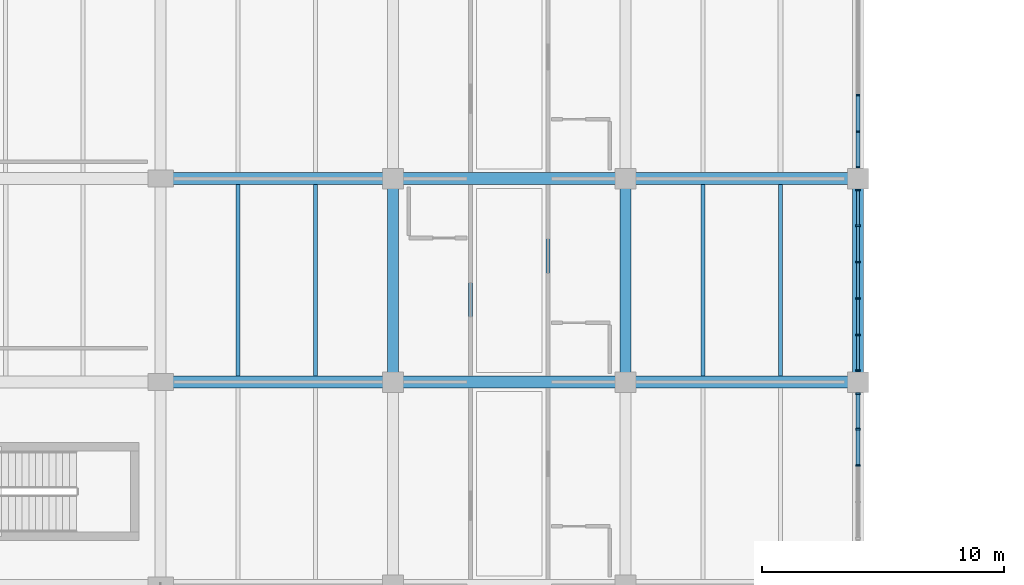
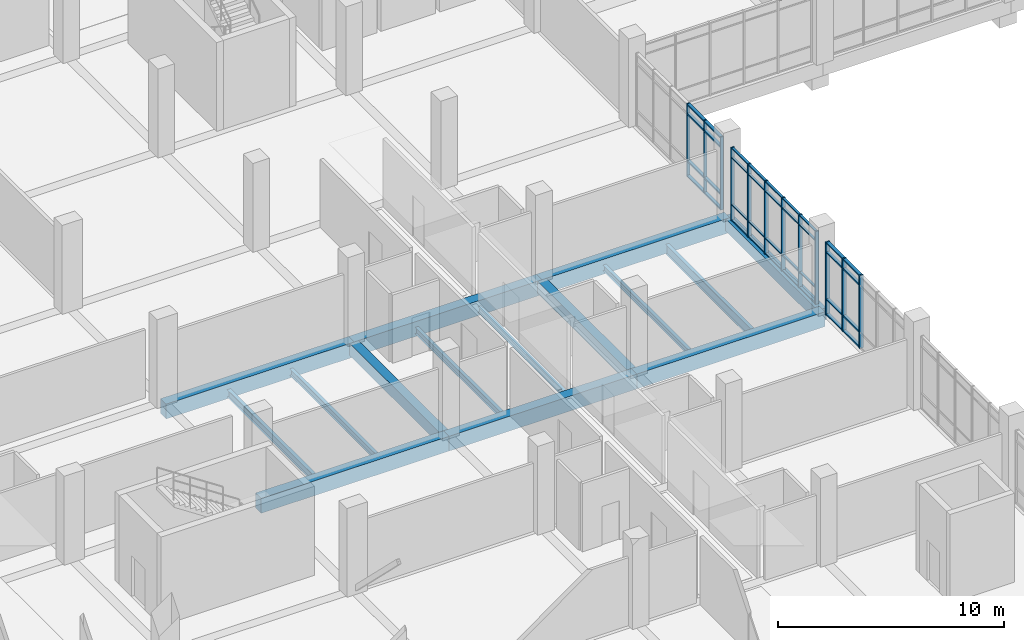
# One storey, part 27 of 152: 48 members, 15 beams, 3 elements without a shape of their own.
"""IFC4 building model written with IfcOpenShell, lengths in metres."""

from ifc_helpers import new_model, si_unit, direction, frame, origin, origin_2d, place, context, subcontext, project, spatial, rectangle, i_section, extrude, material, material_profile, profile_set, type_object, element, aggregate, save


model = new_model("IFC4")

# Units and contexts
model_context = context("Model", 3, precision=1e-05, world=origin(), true_north=direction((0.0, 1.0)))
body_context = subcontext(model_context, "Body", "Model", "MODEL_VIEW")
ifc_project = project(units=[si_unit("LENGTHUNIT", "METRE"), si_unit("AREAUNIT", "SQUARE_METRE"), si_unit("VOLUMEUNIT", "CUBIC_METRE"), si_unit("PLANEANGLEUNIT", "RADIAN"), si_unit("MASSUNIT", "GRAM", prefix="KILO")], contexts=[model_context])

# Site, building, storey
site_placement = place(None, origin())
site = spatial("IfcSite", under=ifc_project, at=site_placement, CompositionType="ELEMENT")
building_placement = place(site_placement, origin())
building = spatial("IfcBuilding", under=site, at=building_placement, Name="Oolite Switchyard Hospital", CompositionType="ELEMENT")
storey_placement = place(building_placement, frame((0.0, 0.0, 5.10009765625)))
storey = spatial("IfcBuildingStorey", under=building, at=storey_placement, Name="L01", CompositionType="ELEMENT", Elevation=5.10009765625)

# Beams
ifc_material_1 = material(Name="Concrete C40/50", Category="concrete")
ifc_material_profile_1 = material_profile(ifc_material_1, rectangle(XDim=0.449951171875, YDim=0.64990234375, at=origin_2d()), Name="RCB450X650")
ifc_profile_set_1 = profile_set([ifc_material_profile_1], Name="Concrete C40/50")
beam_type_1 = type_object("IfcBeamType", Name="BM-RC450X650", PredefinedType="BEAM", material=ifc_profile_set_1)
for number, where, z_axis, x_axis, name in (
    (1, (38.39990234375, 67.199951171875, -0.3251953125), (0.0, 1.0, 0.0), (-1.0, 0.0, 0.0), "L01 Y-Girder 358"),
    (2, (48.0, 67.199951171875, -0.3251953125), (0.0, 1.0, 0.0), (-1.0, 0.0, 0.0), "L01 Y-Girder 374"),
    (3, (57.60009765625, 67.199951171875, -0.3251953125), (0.0, 1.0, 0.0), (-1.0, 0.0, 0.0), "L01 Y-Girder 389"),
):
    element("IfcBeam", number, at=place(storey_placement, frame(where, z_axis=z_axis, x_axis=x_axis)), inside=storey, type_object=beam_type_1, Name=name, PredefinedType="BEAM", context=body_context, shape_type="SweptSolid", body=[
        extrude(rectangle(XDim=0.449951171875, YDim=0.64990234375, at=origin_2d()), origin(), (0.0, 0.0, 1.0), 8.400146484375),
    ])
ifc_material_profile_2 = material_profile(ifc_material_1, rectangle(XDim=0.5, YDim=0.800048828125, at=origin_2d()), Name="RCB500X800")
ifc_profile_set_2 = profile_set([ifc_material_profile_2], Name="Concrete C40/50")
beam_type_2 = type_object("IfcBeamType", Name="BM-RC500X800", PredefinedType="BEAM", material=ifc_profile_set_2)
beam_1_placement = place(storey_placement, frame((28.800048828125, 67.199951171875, -0.400146484375), z_axis=(1.0, 0.0, 0.0), x_axis=(0.0, 1.0, 0.0)))
element("IfcBeam", 4, at=beam_1_placement, inside=storey, type_object=beam_type_2, Name="L01 X-Girder 131", PredefinedType="BEAM", context=body_context, shape_type="SweptSolid", body=[
    extrude(rectangle(XDim=0.5, YDim=0.800048828125, at=origin_2d()), origin(), (0.0, 0.0, 1.0), 9.599853515625),
])
for number, where, z_axis, x_axis, name in (
    (5, (38.39990234375, 67.199951171875, -0.400146484375), (1.0, 0.0, 0.0), (0.0, 1.0, 0.0), "L01 X-Girder 132"),
    (6, (48.0, 67.199951171875, -0.400146484375), (1.0, 0.0, 0.0), (0.0, 1.0, 0.0), "L01 X-Girder 133"),
):
    element("IfcBeam", number, at=place(storey_placement, frame(where, z_axis=z_axis, x_axis=x_axis)), inside=storey, type_object=beam_type_2, Name=name, PredefinedType="BEAM", context=body_context, shape_type="SweptSolid", body=[
        extrude(rectangle(XDim=0.5, YDim=0.800048828125, at=origin_2d()), origin(), (0.0, 0.0, 1.0), 9.60009765625),
    ])
beam_2_placement = place(storey_placement, frame((28.800048828125, 75.60009765625, -0.400146484375), z_axis=(1.0, 0.0, 0.0), x_axis=(0.0, 1.0, 0.0)))
element("IfcBeam", 7, at=beam_2_placement, inside=storey, type_object=beam_type_2, Name="L01 X-Girder 147", PredefinedType="BEAM", context=body_context, shape_type="SweptSolid", body=[
    extrude(rectangle(XDim=0.5, YDim=0.800048828125, at=origin_2d()), origin(), (0.0, 0.0, 1.0), 9.599853515625),
])
for number, where, z_axis, x_axis, name in (
    (8, (38.39990234375, 75.60009765625, -0.400146484375), (1.0, 0.0, 0.0), (0.0, 1.0, 0.0), "L01 X-Girder 148"),
    (9, (48.0, 75.60009765625, -0.400146484375), (1.0, 0.0, 0.0), (0.0, 1.0, 0.0), "L01 X-Girder 149"),
):
    element("IfcBeam", number, at=place(storey_placement, frame(where, z_axis=z_axis, x_axis=x_axis)), inside=storey, type_object=beam_type_2, Name=name, PredefinedType="BEAM", context=body_context, shape_type="SweptSolid", body=[
        extrude(rectangle(XDim=0.5, YDim=0.800048828125, at=origin_2d()), origin(), (0.0, 0.0, 1.0), 9.60009765625),
    ])
ifc_material_2 = material(Name="Steel ASTM A992 Grade 50", Category="steel")
ifc_material_profile_3 = material_profile(ifc_material_2, i_section(OverallWidth=0.1650390625, OverallDepth=0.31005859375, WebThickness=0.006103515625, FlangeThickness=0.010009765625, at=origin_2d()), Name="W12X26")
ifc_profile_set_3 = profile_set([ifc_material_profile_3], Name="Steel ASTM A992 Grade 50")
beam_type_3 = type_object("IfcBeamType", Name="BM-W12X26", PredefinedType="JOIST", material=ifc_profile_set_3)
for number, where, z_axis, x_axis, name in (
    (10, (44.800048828125, 67.449951171875, -0.455078125), (0.0, 1.0, 0.0), (-1.0, 0.0, 0.0), "L01 Secondary Steel Joist 697"),
    (11, (51.199951171875, 67.449951171875, -0.455078125), (0.0, 1.0, 0.0), (-1.0, 0.0, 0.0), "L01 Secondary Steel Joist 724"),
):
    element("IfcBeam", number, at=place(storey_placement, frame(where, z_axis=z_axis, x_axis=x_axis)), inside=storey, type_object=beam_type_3, Name=name, PredefinedType="JOIST", context=body_context, shape_type="SweptSolid", body=[
        extrude(i_section(OverallWidth=0.1650390625, OverallDepth=0.31005859375, WebThickness=0.006103515625, FlangeThickness=0.010009765625, at=origin_2d()), origin(), (0.0, 0.0, 1.0), 7.900146484375),
    ])
ifc_material_profile_4 = material_profile(ifc_material_2, i_section(OverallWidth=0.1708984375, OverallDepth=0.35107421875, WebThickness=0.007080078125, FlangeThickness=0.010009765625, at=origin_2d()), Name="W14X30")
ifc_profile_set_4 = profile_set([ifc_material_profile_4], Name="Steel ASTM A992 Grade 50")
beam_type_4 = type_object("IfcBeamType", Name="BM-W14X30", PredefinedType="JOIST", material=ifc_profile_set_4)
for number, where, z_axis, x_axis, name in (
    (12, (35.199951171875, 67.449951171875, -0.47607421875), (0.0, 1.0, 0.0), (-1.0, 0.0, 0.0), "L01 Secondary Steel Joist 667"),
    (13, (41.60009765625, 67.449951171875, -0.47607421875), (0.0, 1.0, 0.0), (-1.0, 0.0, 0.0), "L01 Secondary Steel Joist 696"),
):
    element("IfcBeam", number, at=place(storey_placement, frame(where, z_axis=z_axis, x_axis=x_axis)), inside=storey, type_object=beam_type_4, Name=name, PredefinedType="JOIST", context=body_context, shape_type="SweptSolid", body=[
        extrude(i_section(OverallWidth=0.1708984375, OverallDepth=0.35107421875, WebThickness=0.007080078125, FlangeThickness=0.010009765625, at=origin_2d()), origin(), (0.0, 0.0, 1.0), 7.900146484375),
    ])
ifc_material_profile_5 = material_profile(ifc_material_2, i_section(OverallWidth=0.177978515625, OverallDepth=0.403076171875, WebThickness=0.008056640625, FlangeThickness=0.010986328125, at=origin_2d()), Name="W16X36")
ifc_profile_set_5 = profile_set([ifc_material_profile_5], Name="Steel ASTM A992 Grade 50")
beam_type_5 = type_object("IfcBeamType", Name="BM-W16X36", PredefinedType="JOIST", material=ifc_profile_set_5)
beam_3_placement = place(storey_placement, frame((32.0, 67.449951171875, -0.502197265625), z_axis=(0.0, 1.0, 0.0), x_axis=(-1.0, 0.0, 0.0)))
element("IfcBeam", 14, at=beam_3_placement, inside=storey, type_object=beam_type_5, Name="L01 Secondary Steel Joist 666", PredefinedType="JOIST", context=body_context, shape_type="SweptSolid", body=[
    extrude(i_section(OverallWidth=0.177978515625, OverallDepth=0.403076171875, WebThickness=0.008056640625, FlangeThickness=0.010986328125, at=origin_2d()), origin(), (0.0, 0.0, 1.0), 7.900146484375),
])
ifc_material_profile_6 = material_profile(ifc_material_2, i_section(OverallWidth=0.166015625, OverallDepth=0.529052734375, WebThickness=0.010009765625, FlangeThickness=0.013916015625, at=origin_2d()), Name="W21X50")
ifc_profile_set_6 = profile_set([ifc_material_profile_6], Name="Steel ASTM A992 Grade 50")
beam_type_6 = type_object("IfcBeamType", Name="BM-W21X50", PredefinedType="JOIST", material=ifc_profile_set_6)
beam_4_placement = place(storey_placement, frame((54.39990234375, 67.449951171875, -0.564208984375), z_axis=(0.0, 1.0, 0.0), x_axis=(-1.0, 0.0, 0.0)))
element("IfcBeam", 15, at=beam_4_placement, inside=storey, type_object=beam_type_6, Name="L01 Secondary Steel Joist 725", PredefinedType="JOIST", context=body_context, shape_type="SweptSolid", body=[
    extrude(i_section(OverallWidth=0.166015625, OverallDepth=0.529052734375, WebThickness=0.010009765625, FlangeThickness=0.013916015625, at=origin_2d()), origin(), (0.0, 0.0, 1.0), 7.900146484375),
])

# Curtain wall, members
ifc_material_3 = material(Name="Thermally broken aluminum frame with laminated impact glazing", Category="aluminium")
curtain_wall_type = type_object("IfcCurtainWallType", Name="CW-UNIT-84X48", PredefinedType="USERDEFINED", material=ifc_material_3)
curtain_wall_1_placement = place(storey_placement, origin())
curtain_wall_1 = element("IfcCurtainWall", 16, at=curtain_wall_1_placement, inside=storey, type_object=curtain_wall_type, Name="L01 Unitised Curtain Wall 173", ObjectType="UNITISED", PredefinedType="USERDEFINED")
ifc_material_4 = material(Name="Aluminium 6063-T6", Category="aluminium")
ifc_material_profile_7 = material_profile(ifc_material_4, rectangle(XDim=0.159912109375, YDim=0.06005859375, at=origin_2d()), Name="CWM60X160")
ifc_profile_set_7 = profile_set([ifc_material_profile_7], Name="Aluminium 6063-T6")
member_type_1 = type_object("IfcMemberType", Name="CW-MUL-180", PredefinedType="MULLION", material=ifc_profile_set_7)
member_1_placement = place(storey_placement, frame((57.60009765625, 79.048095703125, 0.0), z_axis=(0.0, 0.0, 1.0), x_axis=(1.0, 0.0, 0.0)))
member_1 = element("IfcMember", 17, at=member_1_placement, type_object=member_type_1, Name="CW-07 mullion 4", PredefinedType="MULLION", context=body_context, shape_type="SweptSolid", body=[
    extrude(rectangle(XDim=0.159912109375, YDim=0.06005859375, at=origin_2d()), origin(), (0.0, 0.0, 1.0), 3.93994140625),
])
member_2_placement = place(storey_placement, frame((57.60009765625, 77.5439453125, 0.0), z_axis=(0.0, 0.0, 1.0), x_axis=(1.0, 0.0, 0.0)))
member_2 = element("IfcMember", 18, at=member_2_placement, type_object=member_type_1, Name="CW-07 mullion 5", PredefinedType="MULLION", context=body_context, shape_type="SweptSolid", body=[
    extrude(rectangle(XDim=0.159912109375, YDim=0.06005859375, at=origin_2d()), origin(), (0.0, 0.0, 1.0), 3.93994140625),
])
member_3_placement = place(storey_placement, frame((57.60009765625, 76.070068359375, 0.0), z_axis=(0.0, 0.0, 1.0), x_axis=(1.0, 0.0, 0.0)))
member_3 = element("IfcMember", 19, at=member_3_placement, type_object=member_type_1, Name="CW-07 mullion 6", PredefinedType="MULLION", context=body_context, shape_type="SweptSolid", body=[
    extrude(rectangle(XDim=0.159912109375, YDim=0.06005859375, at=origin_2d()), origin(), (0.0, 0.0, 1.0), 3.93994140625),
])

curtain_wall_2_placement = place(storey_placement, origin())
curtain_wall_2 = element("IfcCurtainWall", 20, at=curtain_wall_2_placement, inside=storey, type_object=curtain_wall_type, Name="L01 Unitised Curtain Wall 174", ObjectType="UNITISED", PredefinedType="USERDEFINED")
ifc_material_profile_8 = material_profile(ifc_material_4, rectangle(XDim=0.179931640625, YDim=0.070068359375, at=origin_2d()), Name="CWM70X180")
ifc_profile_set_8 = profile_set([ifc_material_profile_8], Name="Aluminium 6063-T6")
member_type_2 = type_object("IfcMemberType", Name="CW-MUL-220", PredefinedType="MULLION", material=ifc_profile_set_8)
member_4_placement = place(storey_placement, frame((57.60009765625, 75.125, 0.0), z_axis=(0.0, 0.0, 1.0), x_axis=(1.0, 0.0, 0.0)))
member_4 = element("IfcMember", 21, at=member_4_placement, type_object=member_type_2, Name="CW-07 mullion 1", PredefinedType="MULLION", context=body_context, shape_type="SweptSolid", body=[
    extrude(rectangle(XDim=0.179931640625, YDim=0.070068359375, at=origin_2d()), origin(), (0.0, 0.0, 1.0), 3.93994140625),
])
member_5_placement = place(storey_placement, frame((57.60009765625, 73.656005859375, 0.0), z_axis=(0.0, 0.0, 1.0), x_axis=(1.0, 0.0, 0.0)))
member_5 = element("IfcMember", 22, at=member_5_placement, type_object=member_type_2, Name="CW-07 mullion 2", PredefinedType="MULLION", context=body_context, shape_type="SweptSolid", body=[
    extrude(rectangle(XDim=0.179931640625, YDim=0.070068359375, at=origin_2d()), origin(), (0.0, 0.0, 1.0), 3.93994140625),
])
member_6_placement = place(storey_placement, frame((57.60009765625, 72.152099609375, 0.0), z_axis=(0.0, 0.0, 1.0), x_axis=(1.0, 0.0, 0.0)))
member_6 = element("IfcMember", 23, at=member_6_placement, type_object=member_type_2, Name="CW-07 mullion 3", PredefinedType="MULLION", context=body_context, shape_type="SweptSolid", body=[
    extrude(rectangle(XDim=0.179931640625, YDim=0.070068359375, at=origin_2d()), origin(), (0.0, 0.0, 1.0), 3.93994140625),
])
member_7_placement = place(storey_placement, frame((57.60009765625, 70.64794921875, 0.0), z_axis=(0.0, 0.0, 1.0), x_axis=(1.0, 0.0, 0.0)))
member_7 = element("IfcMember", 24, at=member_7_placement, type_object=member_type_2, Name="CW-07 mullion 4", PredefinedType="MULLION", context=body_context, shape_type="SweptSolid", body=[
    extrude(rectangle(XDim=0.179931640625, YDim=0.070068359375, at=origin_2d()), origin(), (0.0, 0.0, 1.0), 3.93994140625),
])
member_8_placement = place(storey_placement, frame((57.60009765625, 69.14404296875, 0.0), z_axis=(0.0, 0.0, 1.0), x_axis=(1.0, 0.0, 0.0)))
member_8 = element("IfcMember", 25, at=member_8_placement, type_object=member_type_2, Name="CW-07 mullion 5", PredefinedType="MULLION", context=body_context, shape_type="SweptSolid", body=[
    extrude(rectangle(XDim=0.179931640625, YDim=0.070068359375, at=origin_2d()), origin(), (0.0, 0.0, 1.0), 3.93994140625),
])
member_9_placement = place(storey_placement, frame((57.60009765625, 67.675048828125, 0.0), z_axis=(0.0, 0.0, 1.0), x_axis=(1.0, 0.0, 0.0)))
member_9 = element("IfcMember", 26, at=member_9_placement, type_object=member_type_2, Name="CW-07 mullion 6", PredefinedType="MULLION", context=body_context, shape_type="SweptSolid", body=[
    extrude(rectangle(XDim=0.179931640625, YDim=0.070068359375, at=origin_2d()), origin(), (0.0, 0.0, 1.0), 3.93994140625),
])

curtain_wall_3_placement = place(storey_placement, origin())
curtain_wall_3 = element("IfcCurtainWall", 27, at=curtain_wall_3_placement, inside=storey, type_object=curtain_wall_type, Name="L01 Unitised Curtain Wall 169", ObjectType="UNITISED", PredefinedType="USERDEFINED")
ifc_material_profile_9 = material_profile(ifc_material_4, rectangle(XDim=0.199951171875, YDim=0.074951171875, at=origin_2d()), Name="CWM75X200")
ifc_profile_set_9 = profile_set([ifc_material_profile_9], Name="Aluminium 6063-T6")
member_type_3 = type_object("IfcMemberType", Name="CW-MUL-260", PredefinedType="MULLION", material=ifc_profile_set_9)
member_10_placement = place(storey_placement, frame((57.60009765625, 66.722412109375, 0.0), z_axis=(0.0, 0.0, 1.0), x_axis=(1.0, 0.0, 0.0)))
member_10 = element("IfcMember", 28, at=member_10_placement, type_object=member_type_3, Name="CW-07 mullion 1", PredefinedType="MULLION", context=body_context, shape_type="SweptSolid", body=[
    extrude(rectangle(XDim=0.199951171875, YDim=0.074951171875, at=origin_2d()), origin(), (0.0, 0.0, 1.0), 3.93994140625),
])
member_11_placement = place(storey_placement, frame((57.60009765625, 65.256103515625, 0.0), z_axis=(0.0, 0.0, 1.0), x_axis=(1.0, 0.0, 0.0)))
member_11 = element("IfcMember", 29, at=member_11_placement, type_object=member_type_3, Name="CW-07 mullion 2", PredefinedType="MULLION", context=body_context, shape_type="SweptSolid", body=[
    extrude(rectangle(XDim=0.199951171875, YDim=0.074951171875, at=origin_2d()), origin(), (0.0, 0.0, 1.0), 3.93994140625),
])
member_12_placement = place(storey_placement, frame((57.60009765625, 63.751953125, 0.0), z_axis=(0.0, 0.0, 1.0), x_axis=(1.0, 0.0, 0.0)))
member_12 = element("IfcMember", 30, at=member_12_placement, type_object=member_type_3, Name="CW-07 mullion 3", PredefinedType="MULLION", context=body_context, shape_type="SweptSolid", body=[
    extrude(rectangle(XDim=0.199951171875, YDim=0.074951171875, at=origin_2d()), origin(), (0.0, 0.0, 1.0), 3.93994140625),
])

# Member
ifc_material_profile_10 = material_profile(ifc_material_4, rectangle(XDim=0.1201171875, YDim=0.06005859375, at=origin_2d()), Name="CWT60X120")
ifc_profile_set_10 = profile_set([ifc_material_profile_10], Name="Aluminium 6063-T6")
member_type_4 = type_object("IfcMemberType", Name="CW-TRN-150", PredefinedType="USERDEFINED", material=ifc_profile_set_10)
member_13_placement = place(storey_placement, frame((57.60009765625, 75.090087890625, 0.02978515625), z_axis=(0.0, -1.0, 0.0), x_axis=(1.0, 0.0, 0.0)))
member_13 = element("IfcMember", 31, at=member_13_placement, type_object=member_type_4, Name="CW-07 transom 1.1", ObjectType="TRANSOM", PredefinedType="USERDEFINED", context=body_context, shape_type="SweptSolid", body=[
    extrude(rectangle(XDim=0.1201171875, YDim=0.06005859375, at=origin_2d()), origin(), (0.0, 0.0, 1.0), 1.399169921875),
])

member_14_placement = place(storey_placement, frame((57.60009765625, 75.090087890625, 0.849853515625), z_axis=(0.0, -1.0, 0.0), x_axis=(1.0, 0.0, 0.0)))
member_14 = element("IfcMember", 32, at=member_14_placement, type_object=member_type_4, Name="CW-07 transom 1.2", ObjectType="TRANSOM", PredefinedType="USERDEFINED", context=body_context, shape_type="SweptSolid", body=[
    extrude(rectangle(XDim=0.1201171875, YDim=0.06005859375, at=origin_2d()), origin(), (0.0, 0.0, 1.0), 1.399169921875),
])

member_15_placement = place(storey_placement, frame((57.60009765625, 75.090087890625, 3.389892578125), z_axis=(0.0, -1.0, 0.0), x_axis=(1.0, 0.0, 0.0)))
member_15 = element("IfcMember", 33, at=member_15_placement, type_object=member_type_4, Name="CW-07 transom 1.3", ObjectType="TRANSOM", PredefinedType="USERDEFINED", context=body_context, shape_type="SweptSolid", body=[
    extrude(rectangle(XDim=0.1201171875, YDim=0.06005859375, at=origin_2d()), origin(), (0.0, 0.0, 1.0), 1.399169921875),
])

member_16_placement = place(storey_placement, frame((57.60009765625, 75.090087890625, 3.909912109375), z_axis=(0.0, -1.0, 0.0), x_axis=(1.0, 0.0, 0.0)))
member_16 = element("IfcMember", 34, at=member_16_placement, type_object=member_type_4, Name="CW-07 transom 1.4", ObjectType="TRANSOM", PredefinedType="USERDEFINED", context=body_context, shape_type="SweptSolid", body=[
    extrude(rectangle(XDim=0.1201171875, YDim=0.06005859375, at=origin_2d()), origin(), (0.0, 0.0, 1.0), 1.399169921875),
])

member_17_placement = place(storey_placement, frame((57.60009765625, 73.62109375, 0.02978515625), z_axis=(0.0, -1.0, 0.0), x_axis=(1.0, 0.0, 0.0)))
member_17 = element("IfcMember", 35, at=member_17_placement, type_object=member_type_4, Name="CW-07 transom 2.1", ObjectType="TRANSOM", PredefinedType="USERDEFINED", context=body_context, shape_type="SweptSolid", body=[
    extrude(rectangle(XDim=0.1201171875, YDim=0.06005859375, at=origin_2d()), origin(), (0.0, 0.0, 1.0), 1.43408203125),
])

member_18_placement = place(storey_placement, frame((57.60009765625, 73.62109375, 0.849853515625), z_axis=(0.0, -1.0, 0.0), x_axis=(1.0, 0.0, 0.0)))
member_18 = element("IfcMember", 36, at=member_18_placement, type_object=member_type_4, Name="CW-07 transom 2.2", ObjectType="TRANSOM", PredefinedType="USERDEFINED", context=body_context, shape_type="SweptSolid", body=[
    extrude(rectangle(XDim=0.1201171875, YDim=0.06005859375, at=origin_2d()), origin(), (0.0, 0.0, 1.0), 1.43408203125),
])

member_19_placement = place(storey_placement, frame((57.60009765625, 73.62109375, 3.389892578125), z_axis=(0.0, -1.0, 0.0), x_axis=(1.0, 0.0, 0.0)))
member_19 = element("IfcMember", 37, at=member_19_placement, type_object=member_type_4, Name="CW-07 transom 2.3", ObjectType="TRANSOM", PredefinedType="USERDEFINED", context=body_context, shape_type="SweptSolid", body=[
    extrude(rectangle(XDim=0.1201171875, YDim=0.06005859375, at=origin_2d()), origin(), (0.0, 0.0, 1.0), 1.43408203125),
])

member_20_placement = place(storey_placement, frame((57.60009765625, 73.62109375, 3.909912109375), z_axis=(0.0, -1.0, 0.0), x_axis=(1.0, 0.0, 0.0)))
member_20 = element("IfcMember", 38, at=member_20_placement, type_object=member_type_4, Name="CW-07 transom 2.4", ObjectType="TRANSOM", PredefinedType="USERDEFINED", context=body_context, shape_type="SweptSolid", body=[
    extrude(rectangle(XDim=0.1201171875, YDim=0.06005859375, at=origin_2d()), origin(), (0.0, 0.0, 1.0), 1.43408203125),
])

member_21_placement = place(storey_placement, frame((57.60009765625, 72.116943359375, 0.02978515625), z_axis=(0.0, -1.0, 0.0), x_axis=(1.0, 0.0, 0.0)))
member_21 = element("IfcMember", 39, at=member_21_placement, type_object=member_type_4, Name="CW-07 transom 3.1", ObjectType="TRANSOM", PredefinedType="USERDEFINED", context=body_context, shape_type="SweptSolid", body=[
    extrude(rectangle(XDim=0.1201171875, YDim=0.06005859375, at=origin_2d()), origin(), (0.0, 0.0, 1.0), 1.433837890625),
])

member_22_placement = place(storey_placement, frame((57.60009765625, 72.116943359375, 0.849853515625), z_axis=(0.0, -1.0, 0.0), x_axis=(1.0, 0.0, 0.0)))
member_22 = element("IfcMember", 40, at=member_22_placement, type_object=member_type_4, Name="CW-07 transom 3.2", ObjectType="TRANSOM", PredefinedType="USERDEFINED", context=body_context, shape_type="SweptSolid", body=[
    extrude(rectangle(XDim=0.1201171875, YDim=0.06005859375, at=origin_2d()), origin(), (0.0, 0.0, 1.0), 1.433837890625),
])

member_23_placement = place(storey_placement, frame((57.60009765625, 72.116943359375, 3.389892578125), z_axis=(0.0, -1.0, 0.0), x_axis=(1.0, 0.0, 0.0)))
member_23 = element("IfcMember", 41, at=member_23_placement, type_object=member_type_4, Name="CW-07 transom 3.3", ObjectType="TRANSOM", PredefinedType="USERDEFINED", context=body_context, shape_type="SweptSolid", body=[
    extrude(rectangle(XDim=0.1201171875, YDim=0.06005859375, at=origin_2d()), origin(), (0.0, 0.0, 1.0), 1.433837890625),
])

member_24_placement = place(storey_placement, frame((57.60009765625, 72.116943359375, 3.909912109375), z_axis=(0.0, -1.0, 0.0), x_axis=(1.0, 0.0, 0.0)))
member_24 = element("IfcMember", 42, at=member_24_placement, type_object=member_type_4, Name="CW-07 transom 3.4", ObjectType="TRANSOM", PredefinedType="USERDEFINED", context=body_context, shape_type="SweptSolid", body=[
    extrude(rectangle(XDim=0.1201171875, YDim=0.06005859375, at=origin_2d()), origin(), (0.0, 0.0, 1.0), 1.433837890625),
])

member_25_placement = place(storey_placement, frame((57.60009765625, 70.613037109375, 0.02978515625), z_axis=(0.0, -1.0, 0.0), x_axis=(1.0, 0.0, 0.0)))
member_25 = element("IfcMember", 43, at=member_25_placement, type_object=member_type_4, Name="CW-07 transom 4.1", ObjectType="TRANSOM", PredefinedType="USERDEFINED", context=body_context, shape_type="SweptSolid", body=[
    extrude(rectangle(XDim=0.1201171875, YDim=0.06005859375, at=origin_2d()), origin(), (0.0, 0.0, 1.0), 1.43408203125),
])

member_26_placement = place(storey_placement, frame((57.60009765625, 70.613037109375, 0.849853515625), z_axis=(0.0, -1.0, 0.0), x_axis=(1.0, 0.0, 0.0)))
member_26 = element("IfcMember", 44, at=member_26_placement, type_object=member_type_4, Name="CW-07 transom 4.2", ObjectType="TRANSOM", PredefinedType="USERDEFINED", context=body_context, shape_type="SweptSolid", body=[
    extrude(rectangle(XDim=0.1201171875, YDim=0.06005859375, at=origin_2d()), origin(), (0.0, 0.0, 1.0), 1.43408203125),
])

member_27_placement = place(storey_placement, frame((57.60009765625, 70.613037109375, 3.389892578125), z_axis=(0.0, -1.0, 0.0), x_axis=(1.0, 0.0, 0.0)))
member_27 = element("IfcMember", 45, at=member_27_placement, type_object=member_type_4, Name="CW-07 transom 4.3", ObjectType="TRANSOM", PredefinedType="USERDEFINED", context=body_context, shape_type="SweptSolid", body=[
    extrude(rectangle(XDim=0.1201171875, YDim=0.06005859375, at=origin_2d()), origin(), (0.0, 0.0, 1.0), 1.43408203125),
])

member_28_placement = place(storey_placement, frame((57.60009765625, 70.613037109375, 3.909912109375), z_axis=(0.0, -1.0, 0.0), x_axis=(1.0, 0.0, 0.0)))
member_28 = element("IfcMember", 46, at=member_28_placement, type_object=member_type_4, Name="CW-07 transom 4.4", ObjectType="TRANSOM", PredefinedType="USERDEFINED", context=body_context, shape_type="SweptSolid", body=[
    extrude(rectangle(XDim=0.1201171875, YDim=0.06005859375, at=origin_2d()), origin(), (0.0, 0.0, 1.0), 1.43408203125),
])

member_29_placement = place(storey_placement, frame((57.60009765625, 69.10888671875, 0.02978515625), z_axis=(0.0, -1.0, 0.0), x_axis=(1.0, 0.0, 0.0)))
member_29 = element("IfcMember", 47, at=member_29_placement, type_object=member_type_4, Name="CW-07 transom 5.1", ObjectType="TRANSOM", PredefinedType="USERDEFINED", context=body_context, shape_type="SweptSolid", body=[
    extrude(rectangle(XDim=0.1201171875, YDim=0.06005859375, at=origin_2d()), origin(), (0.0, 0.0, 1.0), 1.39892578125),
])

member_30_placement = place(storey_placement, frame((57.60009765625, 69.10888671875, 0.849853515625), z_axis=(0.0, -1.0, 0.0), x_axis=(1.0, 0.0, 0.0)))
member_30 = element("IfcMember", 48, at=member_30_placement, type_object=member_type_4, Name="CW-07 transom 5.2", ObjectType="TRANSOM", PredefinedType="USERDEFINED", context=body_context, shape_type="SweptSolid", body=[
    extrude(rectangle(XDim=0.1201171875, YDim=0.06005859375, at=origin_2d()), origin(), (0.0, 0.0, 1.0), 1.39892578125),
])

member_31_placement = place(storey_placement, frame((57.60009765625, 69.10888671875, 3.389892578125), z_axis=(0.0, -1.0, 0.0), x_axis=(1.0, 0.0, 0.0)))
member_31 = element("IfcMember", 49, at=member_31_placement, type_object=member_type_4, Name="CW-07 transom 5.3", ObjectType="TRANSOM", PredefinedType="USERDEFINED", context=body_context, shape_type="SweptSolid", body=[
    extrude(rectangle(XDim=0.1201171875, YDim=0.06005859375, at=origin_2d()), origin(), (0.0, 0.0, 1.0), 1.39892578125),
])

member_32_placement = place(storey_placement, frame((57.60009765625, 69.10888671875, 3.909912109375), z_axis=(0.0, -1.0, 0.0), x_axis=(1.0, 0.0, 0.0)))
member_32 = element("IfcMember", 50, at=member_32_placement, type_object=member_type_4, Name="CW-07 transom 5.4", ObjectType="TRANSOM", PredefinedType="USERDEFINED", context=body_context, shape_type="SweptSolid", body=[
    extrude(rectangle(XDim=0.1201171875, YDim=0.06005859375, at=origin_2d()), origin(), (0.0, 0.0, 1.0), 1.39892578125),
])

aggregate(curtain_wall_2, [member_4, member_5, member_6, member_7, member_8, member_9, member_13, member_14, member_15, member_16, member_17, member_18, member_19, member_20, member_21, member_22, member_23, member_24, member_25, member_26, member_27, member_28, member_29, member_30, member_31, member_32])

ifc_material_profile_11 = material_profile(ifc_material_4, rectangle(XDim=0.159912109375, YDim=0.074951171875, at=origin_2d()), Name="CWT75X160")
ifc_profile_set_11 = profile_set([ifc_material_profile_11], Name="Aluminium 6063-T6")
member_type_5 = type_object("IfcMemberType", Name="CW-TRN-180", PredefinedType="USERDEFINED", material=ifc_profile_set_11)
member_33_placement = place(storey_placement, frame((57.60009765625, 66.68505859375, 0.037353515625), z_axis=(0.0, -1.0, 0.0), x_axis=(1.0, 0.0, 0.0)))
member_33 = element("IfcMember", 51, at=member_33_placement, type_object=member_type_5, Name="CW-07 transom 1.1", ObjectType="TRANSOM", PredefinedType="USERDEFINED", context=body_context, shape_type="SweptSolid", body=[
    extrude(rectangle(XDim=0.159912109375, YDim=0.074951171875, at=origin_2d()), origin(), (0.0, 0.0, 1.0), 1.3916015625),
])

member_34_placement = place(storey_placement, frame((57.60009765625, 66.68505859375, 0.849853515625), z_axis=(0.0, -1.0, 0.0), x_axis=(1.0, 0.0, 0.0)))
member_34 = element("IfcMember", 52, at=member_34_placement, type_object=member_type_5, Name="CW-07 transom 1.2", ObjectType="TRANSOM", PredefinedType="USERDEFINED", context=body_context, shape_type="SweptSolid", body=[
    extrude(rectangle(XDim=0.159912109375, YDim=0.074951171875, at=origin_2d()), origin(), (0.0, 0.0, 1.0), 1.3916015625),
])

member_35_placement = place(storey_placement, frame((57.60009765625, 66.68505859375, 3.389892578125), z_axis=(0.0, -1.0, 0.0), x_axis=(1.0, 0.0, 0.0)))
member_35 = element("IfcMember", 53, at=member_35_placement, type_object=member_type_5, Name="CW-07 transom 1.3", ObjectType="TRANSOM", PredefinedType="USERDEFINED", context=body_context, shape_type="SweptSolid", body=[
    extrude(rectangle(XDim=0.159912109375, YDim=0.074951171875, at=origin_2d()), origin(), (0.0, 0.0, 1.0), 1.3916015625),
])

member_36_placement = place(storey_placement, frame((57.60009765625, 66.68505859375, 3.90234375), z_axis=(0.0, -1.0, 0.0), x_axis=(1.0, 0.0, 0.0)))
member_36 = element("IfcMember", 54, at=member_36_placement, type_object=member_type_5, Name="CW-07 transom 1.4", ObjectType="TRANSOM", PredefinedType="USERDEFINED", context=body_context, shape_type="SweptSolid", body=[
    extrude(rectangle(XDim=0.159912109375, YDim=0.074951171875, at=origin_2d()), origin(), (0.0, 0.0, 1.0), 1.3916015625),
])

member_37_placement = place(storey_placement, frame((57.60009765625, 65.218505859375, 0.037353515625), z_axis=(0.0, -1.0, 0.0), x_axis=(1.0, 0.0, 0.0)))
member_37 = element("IfcMember", 55, at=member_37_placement, type_object=member_type_5, Name="CW-07 transom 2.1", ObjectType="TRANSOM", PredefinedType="USERDEFINED", context=body_context, shape_type="SweptSolid", body=[
    extrude(rectangle(XDim=0.159912109375, YDim=0.074951171875, at=origin_2d()), origin(), (0.0, 0.0, 1.0), 1.428955078125),
])

member_38_placement = place(storey_placement, frame((57.60009765625, 65.218505859375, 0.849853515625), z_axis=(0.0, -1.0, 0.0), x_axis=(1.0, 0.0, 0.0)))
member_38 = element("IfcMember", 56, at=member_38_placement, type_object=member_type_5, Name="CW-07 transom 2.2", ObjectType="TRANSOM", PredefinedType="USERDEFINED", context=body_context, shape_type="SweptSolid", body=[
    extrude(rectangle(XDim=0.159912109375, YDim=0.074951171875, at=origin_2d()), origin(), (0.0, 0.0, 1.0), 1.428955078125),
])

member_39_placement = place(storey_placement, frame((57.60009765625, 65.218505859375, 3.389892578125), z_axis=(0.0, -1.0, 0.0), x_axis=(1.0, 0.0, 0.0)))
member_39 = element("IfcMember", 57, at=member_39_placement, type_object=member_type_5, Name="CW-07 transom 2.3", ObjectType="TRANSOM", PredefinedType="USERDEFINED", context=body_context, shape_type="SweptSolid", body=[
    extrude(rectangle(XDim=0.159912109375, YDim=0.074951171875, at=origin_2d()), origin(), (0.0, 0.0, 1.0), 1.428955078125),
])

member_40_placement = place(storey_placement, frame((57.60009765625, 65.218505859375, 3.90234375), z_axis=(0.0, -1.0, 0.0), x_axis=(1.0, 0.0, 0.0)))
member_40 = element("IfcMember", 58, at=member_40_placement, type_object=member_type_5, Name="CW-07 transom 2.4", ObjectType="TRANSOM", PredefinedType="USERDEFINED", context=body_context, shape_type="SweptSolid", body=[
    extrude(rectangle(XDim=0.159912109375, YDim=0.074951171875, at=origin_2d()), origin(), (0.0, 0.0, 1.0), 1.428955078125),
])

aggregate(curtain_wall_3, [member_10, member_11, member_12, member_33, member_34, member_35, member_36, member_37, member_38, member_39, member_40])

member_41_placement = place(storey_placement, frame((57.60009765625, 79.01806640625, 0.037353515625), z_axis=(0.0, -1.0, 0.0), x_axis=(1.0, 0.0, 0.0)))
member_41 = element("IfcMember", 59, at=member_41_placement, type_object=member_type_5, Name="CW-07 transom 4.1", ObjectType="TRANSOM", PredefinedType="USERDEFINED", context=body_context, shape_type="SweptSolid", body=[
    extrude(rectangle(XDim=0.159912109375, YDim=0.074951171875, at=origin_2d()), origin(), (0.0, 0.0, 1.0), 1.444091796875),
])

member_42_placement = place(storey_placement, frame((57.60009765625, 79.01806640625, 0.849853515625), z_axis=(0.0, -1.0, 0.0), x_axis=(1.0, 0.0, 0.0)))
member_42 = element("IfcMember", 60, at=member_42_placement, type_object=member_type_5, Name="CW-07 transom 4.2", ObjectType="TRANSOM", PredefinedType="USERDEFINED", context=body_context, shape_type="SweptSolid", body=[
    extrude(rectangle(XDim=0.159912109375, YDim=0.074951171875, at=origin_2d()), origin(), (0.0, 0.0, 1.0), 1.444091796875),
])

member_43_placement = place(storey_placement, frame((57.60009765625, 79.01806640625, 3.389892578125), z_axis=(0.0, -1.0, 0.0), x_axis=(1.0, 0.0, 0.0)))
member_43 = element("IfcMember", 61, at=member_43_placement, type_object=member_type_5, Name="CW-07 transom 4.3", ObjectType="TRANSOM", PredefinedType="USERDEFINED", context=body_context, shape_type="SweptSolid", body=[
    extrude(rectangle(XDim=0.159912109375, YDim=0.074951171875, at=origin_2d()), origin(), (0.0, 0.0, 1.0), 1.444091796875),
])

member_44_placement = place(storey_placement, frame((57.60009765625, 79.01806640625, 3.90234375), z_axis=(0.0, -1.0, 0.0), x_axis=(1.0, 0.0, 0.0)))
member_44 = element("IfcMember", 62, at=member_44_placement, type_object=member_type_5, Name="CW-07 transom 4.4", ObjectType="TRANSOM", PredefinedType="USERDEFINED", context=body_context, shape_type="SweptSolid", body=[
    extrude(rectangle(XDim=0.159912109375, YDim=0.074951171875, at=origin_2d()), origin(), (0.0, 0.0, 1.0), 1.444091796875),
])

member_45_placement = place(storey_placement, frame((57.60009765625, 77.513916015625, 0.037353515625), z_axis=(0.0, -1.0, 0.0), x_axis=(1.0, 0.0, 0.0)))
member_45 = element("IfcMember", 63, at=member_45_placement, type_object=member_type_5, Name="CW-07 transom 5.1", ObjectType="TRANSOM", PredefinedType="USERDEFINED", context=body_context, shape_type="SweptSolid", body=[
    extrude(rectangle(XDim=0.159912109375, YDim=0.074951171875, at=origin_2d()), origin(), (0.0, 0.0, 1.0), 1.413818359375),
])

member_46_placement = place(storey_placement, frame((57.60009765625, 77.513916015625, 0.849853515625), z_axis=(0.0, -1.0, 0.0), x_axis=(1.0, 0.0, 0.0)))
member_46 = element("IfcMember", 64, at=member_46_placement, type_object=member_type_5, Name="CW-07 transom 5.2", ObjectType="TRANSOM", PredefinedType="USERDEFINED", context=body_context, shape_type="SweptSolid", body=[
    extrude(rectangle(XDim=0.159912109375, YDim=0.074951171875, at=origin_2d()), origin(), (0.0, 0.0, 1.0), 1.413818359375),
])

member_47_placement = place(storey_placement, frame((57.60009765625, 77.513916015625, 3.389892578125), z_axis=(0.0, -1.0, 0.0), x_axis=(1.0, 0.0, 0.0)))
member_47 = element("IfcMember", 65, at=member_47_placement, type_object=member_type_5, Name="CW-07 transom 5.3", ObjectType="TRANSOM", PredefinedType="USERDEFINED", context=body_context, shape_type="SweptSolid", body=[
    extrude(rectangle(XDim=0.159912109375, YDim=0.074951171875, at=origin_2d()), origin(), (0.0, 0.0, 1.0), 1.413818359375),
])

member_48_placement = place(storey_placement, frame((57.60009765625, 77.513916015625, 3.90234375), z_axis=(0.0, -1.0, 0.0), x_axis=(1.0, 0.0, 0.0)))
member_48 = element("IfcMember", 66, at=member_48_placement, type_object=member_type_5, Name="CW-07 transom 5.4", ObjectType="TRANSOM", PredefinedType="USERDEFINED", context=body_context, shape_type="SweptSolid", body=[
    extrude(rectangle(XDim=0.159912109375, YDim=0.074951171875, at=origin_2d()), origin(), (0.0, 0.0, 1.0), 1.413818359375),
])

aggregate(curtain_wall_1, [member_1, member_2, member_3, member_41, member_42, member_43, member_44, member_45, member_46, member_47, member_48])

save(model, "model.ifc")
